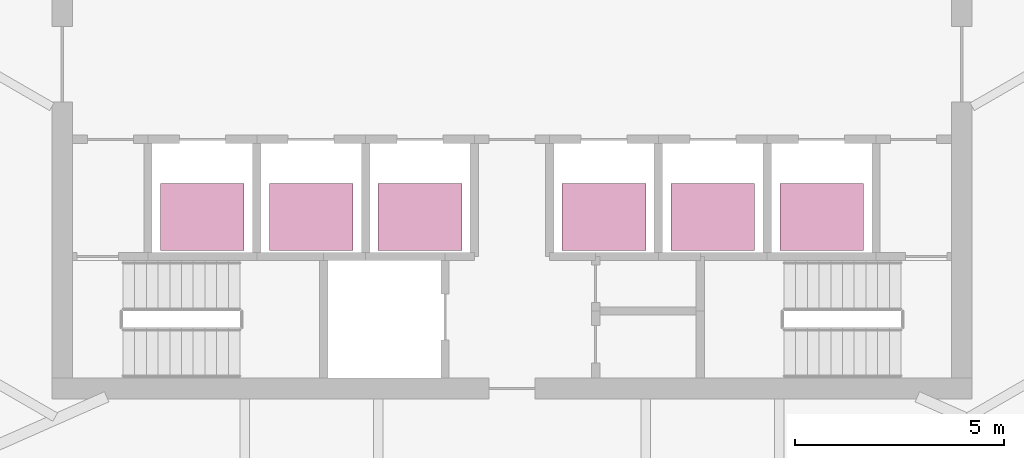
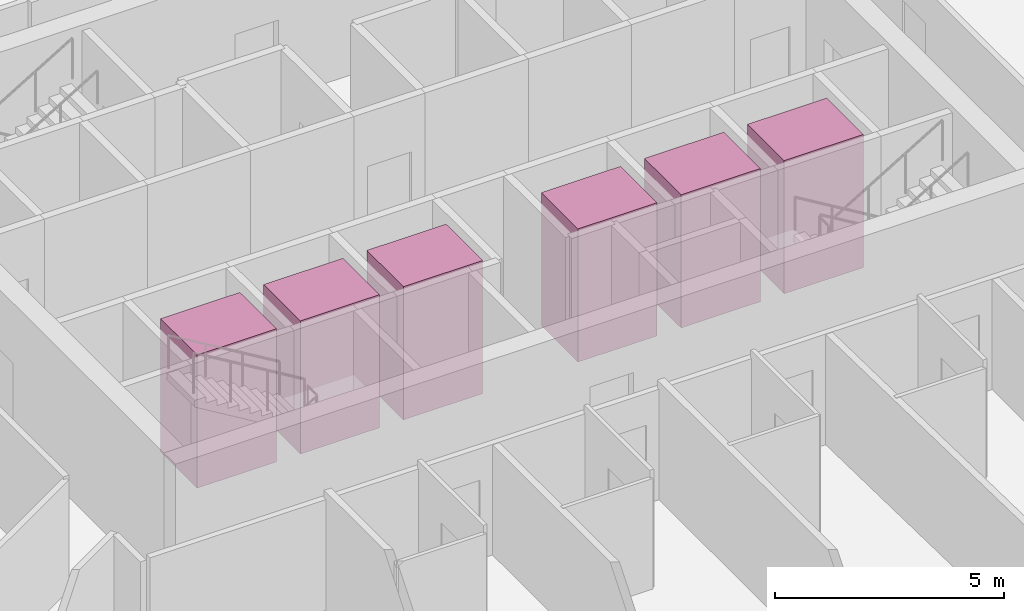
# One storey, part 23 of 23: 6 transport elements.
"""IFC4 building model written with IfcOpenShell, lengths in metres."""

from ifc_helpers import new_model, si_unit, direction, frame, origin, origin_2d, place, context, subcontext, project, spatial, rectangle, extrude, material, type_object, element, save


model = new_model("IFC4")

# Units and contexts
model_context = context("Model", 3, precision=1e-05, world=origin(), true_north=direction((0.0, 1.0)))
body_context = subcontext(model_context, "Body", "Model", "MODEL_VIEW")
ifc_project = project(units=[si_unit("LENGTHUNIT", "METRE"), si_unit("AREAUNIT", "SQUARE_METRE"), si_unit("VOLUMEUNIT", "CUBIC_METRE"), si_unit("PLANEANGLEUNIT", "RADIAN"), si_unit("MASSUNIT", "GRAM", prefix="KILO")], contexts=[model_context])

# Site, building, storey
site_placement = place(None, origin())
site = spatial("IfcSite", under=ifc_project, at=site_placement, CompositionType="ELEMENT")
building_placement = place(site_placement, origin())
building = spatial("IfcBuilding", under=site, at=building_placement, Name="Sierra Prisma Convention Tower", CompositionType="ELEMENT")
storey_placement = place(building_placement, frame((0.0, 0.0, 51.699951171875)))
storey = spatial("IfcBuildingStorey", under=building, at=storey_placement, Name="L08", CompositionType="ELEMENT", Elevation=51.699951171875)

# Transport elements
ifc_material = material(Name="Stainless steel", Category="steel")
transport_element_type = type_object("IfcTransportElementType", Name="Lift car hotel 2000x1600 1600 kg", PredefinedType="ELEVATOR", material=ifc_material)
for number, where, z_axis, x_axis, name in (
    (1, (-7.39990234375, -3.64990234375, 0.0), (0.0, 0.0, 1.0), (1.0, 0.0, 0.0), "Lift HT1"),
    (2, (-4.800048828125, -3.64990234375, 0.0), (0.0, 0.0, 1.0), (1.0, 0.0, 0.0), "Lift HT2"),
    (3, (-2.199951171875, -3.64990234375, 0.0), (0.0, 0.0, 1.0), (1.0, 0.0, 0.0), "Lift HT3"),
    (4, (2.199951171875, -3.64990234375, 0.0), (0.0, 0.0, 1.0), (1.0, 0.0, 0.0), "Lift HT4"),
    (5, (4.800048828125, -3.64990234375, 0.0), (0.0, 0.0, 1.0), (1.0, 0.0, 0.0), "Lift HT5"),
    (6, (7.39990234375, -3.64990234375, 0.0), (0.0, 0.0, 1.0), (1.0, 0.0, 0.0), "Lift HT6"),
):
    element("IfcTransportElement", number, at=place(storey_placement, frame(where, z_axis=z_axis, x_axis=x_axis)), inside=storey, type_object=transport_element_type, Name=name, PredefinedType="ELEVATOR", context=body_context, shape_type="SweptSolid", body=[
        extrude(rectangle(XDim=2.0, YDim=1.60009765625, at=origin_2d()), origin(), (0.0, 0.0, 1.0), 3.550048828125),
    ])

save(model, "model.ifc")
